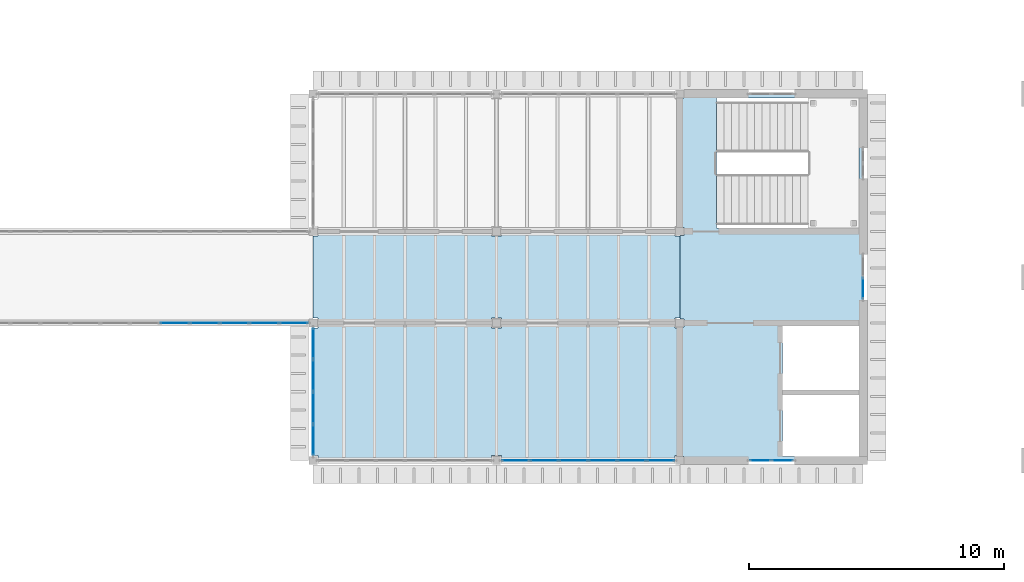
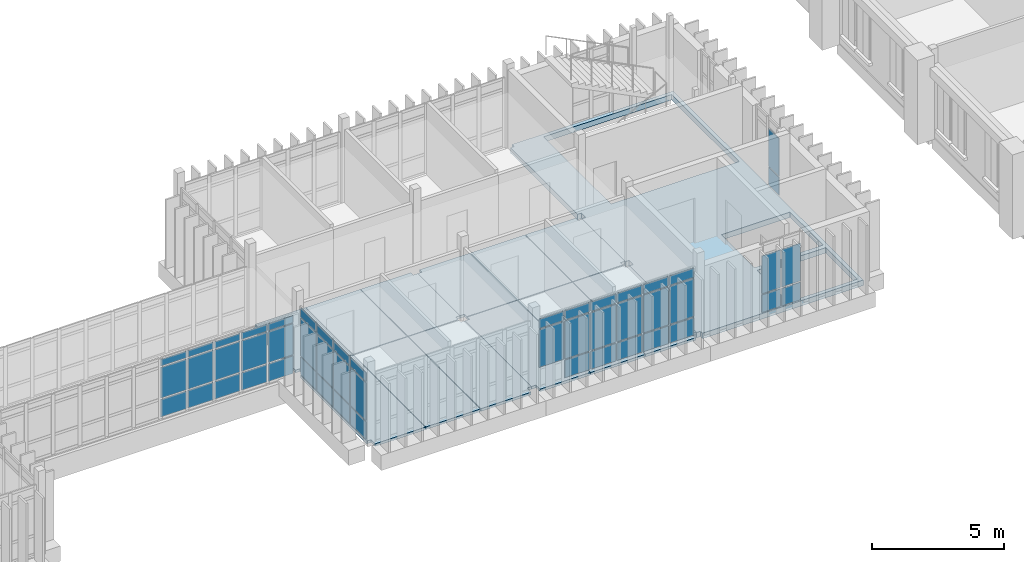
# One storey, part 34 of 71: 50 plates, 13 slabs, 5 elements without a shape of their own.
"""IFC4 building model written with IfcOpenShell, lengths in metres."""

from ifc_helpers import new_model, si_unit, direction, frame, origin, origin_2d, place, context, subcontext, project, spatial, polyline, rectangle, outline, extrude, material, layer, layer_set, type_object, element, aggregate, save


model = new_model("IFC4")

# Units and contexts
model_context = context("Model", 3, precision=1e-05, world=origin(), true_north=direction((0.0, 1.0)))
body_context = subcontext(model_context, "Body", "Model", "MODEL_VIEW")
ifc_project = project(units=[si_unit("LENGTHUNIT", "METRE"), si_unit("AREAUNIT", "SQUARE_METRE"), si_unit("VOLUMEUNIT", "CUBIC_METRE"), si_unit("PLANEANGLEUNIT", "RADIAN"), si_unit("MASSUNIT", "GRAM", prefix="KILO")], contexts=[model_context])

# Site, building, storey
site_placement = place(None, origin())
site = spatial("IfcSite", under=ifc_project, at=site_placement, CompositionType="ELEMENT")
building_placement = place(site_placement, origin())
building = spatial("IfcBuilding", under=site, at=building_placement, Name="Mazhai Court Health Centre", CompositionType="ELEMENT")
storey_placement = place(building_placement, frame((0.0, 0.0, 10.199951171875)))
storey = spatial("IfcBuildingStorey", under=building, at=storey_placement, Name="L02", CompositionType="ELEMENT", Elevation=10.199951171875)

# Slabs
ifc_material_1 = material(Name="CLT C24 5-ply", Category="wood")
ifc_layer_1 = layer(ifc_material_1, 0.1201171875)
ifc_layer_set_1 = layer_set([ifc_layer_1], Name="CLT C24 5-ply 120 floor panel")
slab_type_1 = type_object("IfcSlabType", Name="CLT C24 5-ply 120 floor panel", PredefinedType="FLOOR", material=ifc_layer_set_1)
slab_1_placement = place(storey_placement, frame((0.0, 0.0, -0.119873046875)))
element("IfcSlab", 1, at=slab_1_placement, inside=storey, type_object=slab_type_1, Name="slab-V4-L02-b5-A0", PredefinedType="FLOOR", context=body_context, shape_type="SweptSolid", body=[
    extrude(outline(polyline([(109.389892578125, 18.7900390625), (107.18994140625, 18.7900390625), (107.18994140625, 18.610107421875), (107.0, 18.610107421875), (107.0, 13.590087890625), (107.18994140625, 13.590087890625), (107.18994140625, 13.280029296875), (109.389892578125, 13.280029296875), (109.389892578125, 18.7900390625)])), origin(), (0.0, 0.0, 1.0), 0.119873046875),
])
slab_2_placement = place(storey_placement, frame((0.0, 0.0, -0.119873046875)))
element("IfcSlab", 2, at=slab_2_placement, inside=storey, type_object=slab_type_1, Name="slab-V4-L02-b5-A1", PredefinedType="FLOOR", context=body_context, shape_type="SweptSolid", body=[
    extrude(outline(polyline([(109.409912109375, 13.280029296875), (111.7900390625, 13.280029296875), (111.7900390625, 18.7900390625), (109.409912109375, 18.7900390625), (109.409912109375, 13.280029296875)])), origin(), (0.0, 0.0, 1.0), 0.119873046875),
])
slab_3_placement = place(storey_placement, frame((0.0, 0.0, -0.119873046875)))
element("IfcSlab", 3, at=slab_3_placement, inside=storey, type_object=slab_type_1, Name="slab-V4-L02-b5-A2", PredefinedType="FLOOR", context=body_context, shape_type="SweptSolid", body=[
    extrude(outline(polyline([(114.199951171875, 13.590087890625), (114.199951171875, 18.610107421875), (114.010009765625, 18.610107421875), (114.010009765625, 18.7900390625), (111.81005859375, 18.7900390625), (111.81005859375, 13.280029296875), (114.010009765625, 13.280029296875), (114.010009765625, 13.590087890625), (114.199951171875, 13.590087890625)])), origin(), (0.0, 0.0, 1.0), 0.119873046875),
])
slab_4_placement = place(storey_placement, frame((0.0, 0.0, -0.119873046875)))
element("IfcSlab", 4, at=slab_4_placement, inside=storey, type_object=slab_type_1, Name="slab-V4-L02-b5-C0", PredefinedType="FLOOR", context=body_context, shape_type="SweptSolid", body=[
    extrude(outline(polyline([(109.389892578125, 22.389892578125), (107.18994140625, 22.389892578125), (107.18994140625, 22.2099609375), (107.0, 22.2099609375), (107.0, 18.989990234375), (107.18994140625, 18.989990234375), (107.18994140625, 18.81005859375), (109.389892578125, 18.81005859375), (109.389892578125, 22.389892578125)])), origin(), (0.0, 0.0, 1.0), 0.119873046875),
])
slab_5_placement = place(storey_placement, frame((0.0, 0.0, -0.119873046875)))
element("IfcSlab", 5, at=slab_5_placement, inside=storey, type_object=slab_type_1, Name="slab-V4-L02-b5-C1", PredefinedType="FLOOR", context=body_context, shape_type="SweptSolid", body=[
    extrude(outline(polyline([(109.409912109375, 18.81005859375), (111.7900390625, 18.81005859375), (111.7900390625, 22.389892578125), (109.409912109375, 22.389892578125), (109.409912109375, 18.81005859375)])), origin(), (0.0, 0.0, 1.0), 0.119873046875),
])
slab_6_placement = place(storey_placement, frame((0.0, 0.0, -0.119873046875)))
element("IfcSlab", 6, at=slab_6_placement, inside=storey, type_object=slab_type_1, Name="slab-V4-L02-b5-C2", PredefinedType="FLOOR", context=body_context, shape_type="SweptSolid", body=[
    extrude(outline(polyline([(114.199951171875, 18.989990234375), (114.199951171875, 22.2099609375), (114.010009765625, 22.2099609375), (114.010009765625, 22.389892578125), (111.81005859375, 22.389892578125), (111.81005859375, 18.81005859375), (114.010009765625, 18.81005859375), (114.010009765625, 18.989990234375), (114.199951171875, 18.989990234375)])), origin(), (0.0, 0.0, 1.0), 0.119873046875),
])
slab_7_placement = place(storey_placement, frame((0.0, 0.0, -0.119873046875)))
element("IfcSlab", 7, at=slab_7_placement, inside=storey, type_object=slab_type_1, Name="slab-V4-L02-b6-A0", PredefinedType="FLOOR", context=body_context, shape_type="SweptSolid", body=[
    extrude(outline(polyline([(116.590087890625, 18.7900390625), (114.389892578125, 18.7900390625), (114.389892578125, 18.610107421875), (114.199951171875, 18.610107421875), (114.199951171875, 13.590087890625), (114.389892578125, 13.590087890625), (114.389892578125, 13.280029296875), (116.590087890625, 13.280029296875), (116.590087890625, 18.7900390625)])), origin(), (0.0, 0.0, 1.0), 0.119873046875),
])
slab_8_placement = place(storey_placement, frame((0.0, 0.0, -0.119873046875)))
element("IfcSlab", 8, at=slab_8_placement, inside=storey, type_object=slab_type_1, Name="slab-V4-L02-b6-A1", PredefinedType="FLOOR", context=body_context, shape_type="SweptSolid", body=[
    extrude(outline(polyline([(116.610107421875, 13.280029296875), (118.989990234375, 13.280029296875), (118.989990234375, 18.7900390625), (116.610107421875, 18.7900390625), (116.610107421875, 13.280029296875)])), origin(), (0.0, 0.0, 1.0), 0.119873046875),
])
slab_9_placement = place(storey_placement, frame((0.0, 0.0, -0.119873046875)))
element("IfcSlab", 9, at=slab_9_placement, inside=storey, type_object=slab_type_1, Name="slab-V4-L02-b6-A2", PredefinedType="FLOOR", context=body_context, shape_type="SweptSolid", body=[
    extrude(outline(polyline([(121.39990234375, 13.590087890625), (121.39990234375, 18.610107421875), (121.2099609375, 18.610107421875), (121.2099609375, 18.7900390625), (119.010009765625, 18.7900390625), (119.010009765625, 13.280029296875), (121.2099609375, 13.280029296875), (121.2099609375, 13.590087890625), (121.39990234375, 13.590087890625)])), origin(), (0.0, 0.0, 1.0), 0.119873046875),
])
slab_10_placement = place(storey_placement, frame((0.0, 0.0, -0.119873046875)))
element("IfcSlab", 10, at=slab_10_placement, inside=storey, type_object=slab_type_1, Name="slab-V4-L02-b6-C0", PredefinedType="FLOOR", context=body_context, shape_type="SweptSolid", body=[
    extrude(outline(polyline([(116.590087890625, 22.389892578125), (114.389892578125, 22.389892578125), (114.389892578125, 22.2099609375), (114.199951171875, 22.2099609375), (114.199951171875, 18.989990234375), (114.389892578125, 18.989990234375), (114.389892578125, 18.81005859375), (116.590087890625, 18.81005859375), (116.590087890625, 22.389892578125)])), origin(), (0.0, 0.0, 1.0), 0.119873046875),
])
slab_11_placement = place(storey_placement, frame((0.0, 0.0, -0.119873046875)))
element("IfcSlab", 11, at=slab_11_placement, inside=storey, type_object=slab_type_1, Name="slab-V4-L02-b6-C1", PredefinedType="FLOOR", context=body_context, shape_type="SweptSolid", body=[
    extrude(outline(polyline([(116.610107421875, 18.81005859375), (118.989990234375, 18.81005859375), (118.989990234375, 22.389892578125), (116.610107421875, 22.389892578125), (116.610107421875, 18.81005859375)])), origin(), (0.0, 0.0, 1.0), 0.119873046875),
])
slab_12_placement = place(storey_placement, frame((0.0, 0.0, -0.119873046875)))
element("IfcSlab", 12, at=slab_12_placement, inside=storey, type_object=slab_type_1, Name="slab-V4-L02-b6-C2", PredefinedType="FLOOR", context=body_context, shape_type="SweptSolid", body=[
    extrude(outline(polyline([(121.39990234375, 18.989990234375), (121.39990234375, 22.2099609375), (121.2099609375, 22.2099609375), (121.2099609375, 22.389892578125), (119.010009765625, 22.389892578125), (119.010009765625, 18.81005859375), (121.2099609375, 18.81005859375), (121.2099609375, 18.989990234375), (121.39990234375, 18.989990234375)])), origin(), (0.0, 0.0, 1.0), 0.119873046875),
])

# Curtain wall, plates
ifc_material_2 = material(Name="Teak timber frame, glazed", Category="wood")
ifc_layer_2 = layer(ifc_material_2, 0.10009765625)
ifc_layer_set_2 = layer_set([ifc_layer_2], Name="CURTAIN WALL TIMBER 900")
curtain_wall_type_1 = type_object("IfcCurtainWallType", Name="CURTAIN WALL TIMBER 900", PredefinedType="NOTDEFINED", material=ifc_layer_set_2)
curtain_wall_1_placement = place(storey_placement, origin())
curtain_wall_1 = element("IfcCurtainWall", 13, at=curtain_wall_1_placement, inside=storey, type_object=curtain_wall_type_1, Name="CW-V4-L02-A7", PredefinedType="NOTDEFINED")
ifc_material_3 = material(Name="Glass IGU 28 mm", Category="glass")
ifc_layer_3 = layer(ifc_material_3, 0.028076171875)
ifc_layer_set_3 = layer_set([ifc_layer_3], Name="CW PANEL IGU 28")
plate_type = type_object("IfcPlateType", Name="CW PANEL IGU 28", PredefinedType="CURTAIN_PANEL", material=ifc_layer_set_3)
plate_1_placement = place(storey_placement, frame((125.43505859375, 13.39990234375, 0.06005859375), z_axis=(0.0, 0.0, 1.0), x_axis=(-1.0, 0.0, 0.0)))
plate_1 = element("IfcPlate", 14, at=plate_1_placement, type_object=plate_type, Name="CW panel 1.1", PredefinedType="CURTAIN_PANEL", context=body_context, shape_type="SweptSolid", body=[
    extrude(rectangle(XDim=0.81005859375, YDim=0.028076171875, at=origin_2d()), origin(), (0.0, 0.0, 1.0), 0.81005859375),
])
plate_2_placement = place(storey_placement, frame((125.43505859375, 13.39990234375, 0.93017578125), z_axis=(0.0, 0.0, 1.0), x_axis=(-1.0, 0.0, 0.0)))
plate_2 = element("IfcPlate", 15, at=plate_2_placement, type_object=plate_type, Name="CW panel 1.2", PredefinedType="CURTAIN_PANEL", context=body_context, shape_type="SweptSolid", body=[
    extrude(rectangle(XDim=0.81005859375, YDim=0.028076171875, at=origin_2d()), origin(), (0.0, 0.0, 1.0), 1.739990234375),
])
plate_3_placement = place(storey_placement, frame((124.56494140625, 13.39990234375, 0.06005859375), z_axis=(0.0, 0.0, 1.0), x_axis=(-1.0, 0.0, 0.0)))
plate_3 = element("IfcPlate", 16, at=plate_3_placement, type_object=plate_type, Name="CW panel 2.1", PredefinedType="CURTAIN_PANEL", context=body_context, shape_type="SweptSolid", body=[
    extrude(rectangle(XDim=0.81005859375, YDim=0.028076171875, at=origin_2d()), origin(), (0.0, 0.0, 1.0), 0.81005859375),
])
plate_4_placement = place(storey_placement, frame((124.56494140625, 13.39990234375, 0.93017578125), z_axis=(0.0, 0.0, 1.0), x_axis=(-1.0, 0.0, 0.0)))
plate_4 = element("IfcPlate", 17, at=plate_4_placement, type_object=plate_type, Name="CW panel 2.2", PredefinedType="CURTAIN_PANEL", context=body_context, shape_type="SweptSolid", body=[
    extrude(rectangle(XDim=0.81005859375, YDim=0.028076171875, at=origin_2d()), origin(), (0.0, 0.0, 1.0), 1.739990234375),
])
aggregate(curtain_wall_1, [plate_1, plate_2, plate_3, plate_4])

curtain_wall_2_placement = place(storey_placement, origin())
curtain_wall_2 = element("IfcCurtainWall", 18, at=curtain_wall_2_placement, inside=storey, type_object=curtain_wall_type_1, Name="CW-V4-L02-ELIFT0", PredefinedType="NOTDEFINED")
plate_5_placement = place(storey_placement, frame((128.60009765625, 20.1650390625, 0.06005859375), z_axis=(0.0, 0.0, 1.0), x_axis=(0.0, -1.0, 0.0)))
plate_5 = element("IfcPlate", 19, at=plate_5_placement, type_object=plate_type, Name="CW panel 2.1", PredefinedType="CURTAIN_PANEL", context=body_context, shape_type="SweptSolid", body=[
    extrude(rectangle(XDim=0.81005859375, YDim=0.028076171875, at=origin_2d()), origin(), (0.0, 0.0, 1.0), 0.81005859375),
])
plate_6_placement = place(storey_placement, frame((128.60009765625, 20.1650390625, 0.93017578125), z_axis=(0.0, 0.0, 1.0), x_axis=(0.0, -1.0, 0.0)))
plate_6 = element("IfcPlate", 20, at=plate_6_placement, type_object=plate_type, Name="CW panel 2.2", PredefinedType="CURTAIN_PANEL", context=body_context, shape_type="SweptSolid", body=[
    extrude(rectangle(XDim=0.81005859375, YDim=0.028076171875, at=origin_2d()), origin(), (0.0, 0.0, 1.0), 1.739990234375),
])
aggregate(curtain_wall_2, [plate_5, plate_6])

ifc_material_4 = material(Name="Teak timber frame, glazed", Category="wood")
ifc_layer_4 = layer(ifc_material_4, 0.10009765625)
ifc_layer_set_4 = layer_set([ifc_layer_4], Name="CURTAIN WALL TIMBER 1200")
curtain_wall_type_2 = type_object("IfcCurtainWallType", Name="CURTAIN WALL TIMBER 1200", PredefinedType="NOTDEFINED", material=ifc_layer_set_4)
curtain_wall_3_placement = place(storey_placement, origin())
curtain_wall_3 = element("IfcCurtainWall", 21, at=curtain_wall_3_placement, inside=storey, type_object=curtain_wall_type_2, Name="CW-V4-L02-A6", PredefinedType="NOTDEFINED")
plate_7_placement = place(storey_placement, frame((120.651611328125, 13.39990234375, 0.06005859375), z_axis=(0.0, 0.0, 1.0), x_axis=(-1.0, 0.0, 0.0)))
plate_7 = element("IfcPlate", 22, at=plate_7_placement, type_object=plate_type, Name="CW panel 1.1", PredefinedType="CURTAIN_PANEL", context=body_context, shape_type="SweptSolid", body=[
    extrude(rectangle(XDim=1.056640625, YDim=0.028076171875, at=origin_2d()), origin(), (0.0, 0.0, 1.0), 0.81005859375),
])
plate_8_placement = place(storey_placement, frame((120.651611328125, 13.39990234375, 0.93017578125), z_axis=(0.0, 0.0, 1.0), x_axis=(-1.0, 0.0, 0.0)))
plate_8 = element("IfcPlate", 23, at=plate_8_placement, type_object=plate_type, Name="CW panel 1.2", PredefinedType="CURTAIN_PANEL", context=body_context, shape_type="SweptSolid", body=[
    extrude(rectangle(XDim=1.056640625, YDim=0.028076171875, at=origin_2d()), origin(), (0.0, 0.0, 1.0), 1.739990234375),
])
plate_9_placement = place(storey_placement, frame((120.651611328125, 13.39990234375, 2.72998046875), z_axis=(0.0, 0.0, 1.0), x_axis=(-1.0, 0.0, 0.0)))
plate_9 = element("IfcPlate", 24, at=plate_9_placement, type_object=plate_type, Name="CW panel 1.3", PredefinedType="CURTAIN_PANEL", context=body_context, shape_type="SweptSolid", body=[
    extrude(rectangle(XDim=1.056640625, YDim=0.028076171875, at=origin_2d()), origin(), (0.0, 0.0, 1.0), 0.429931640625),
])
plate_10_placement = place(storey_placement, frame((119.52001953125, 13.39990234375, 0.06005859375), z_axis=(0.0, 0.0, 1.0), x_axis=(-1.0, 0.0, 0.0)))
plate_10 = element("IfcPlate", 25, at=plate_10_placement, type_object=plate_type, Name="CW panel 2.1", PredefinedType="CURTAIN_PANEL", context=body_context, shape_type="SweptSolid", body=[
    extrude(rectangle(XDim=1.086669921875, YDim=0.028076171875, at=origin_2d()), origin(), (0.0, 0.0, 1.0), 0.81005859375),
])
plate_11_placement = place(storey_placement, frame((119.52001953125, 13.39990234375, 0.93017578125), z_axis=(0.0, 0.0, 1.0), x_axis=(-1.0, 0.0, 0.0)))
plate_11 = element("IfcPlate", 26, at=plate_11_placement, type_object=plate_type, Name="CW panel 2.2", PredefinedType="CURTAIN_PANEL", context=body_context, shape_type="SweptSolid", body=[
    extrude(rectangle(XDim=1.086669921875, YDim=0.028076171875, at=origin_2d()), origin(), (0.0, 0.0, 1.0), 1.739990234375),
])
plate_12_placement = place(storey_placement, frame((119.52001953125, 13.39990234375, 2.72998046875), z_axis=(0.0, 0.0, 1.0), x_axis=(-1.0, 0.0, 0.0)))
plate_12 = element("IfcPlate", 27, at=plate_12_placement, type_object=plate_type, Name="CW panel 2.3", PredefinedType="CURTAIN_PANEL", context=body_context, shape_type="SweptSolid", body=[
    extrude(rectangle(XDim=1.086669921875, YDim=0.028076171875, at=origin_2d()), origin(), (0.0, 0.0, 1.0), 0.429931640625),
])
plate_13_placement = place(storey_placement, frame((118.373291015625, 13.39990234375, 0.06005859375), z_axis=(0.0, 0.0, 1.0), x_axis=(-1.0, 0.0, 0.0)))
plate_13 = element("IfcPlate", 28, at=plate_13_placement, type_object=plate_type, Name="CW panel 3.1", PredefinedType="CURTAIN_PANEL", context=body_context, shape_type="SweptSolid", body=[
    extrude(rectangle(XDim=1.086669921875, YDim=0.028076171875, at=origin_2d()), origin(), (0.0, 0.0, 1.0), 0.81005859375),
])
plate_14_placement = place(storey_placement, frame((118.373291015625, 13.39990234375, 0.93017578125), z_axis=(0.0, 0.0, 1.0), x_axis=(-1.0, 0.0, 0.0)))
plate_14 = element("IfcPlate", 29, at=plate_14_placement, type_object=plate_type, Name="CW panel 3.2", PredefinedType="CURTAIN_PANEL", context=body_context, shape_type="SweptSolid", body=[
    extrude(rectangle(XDim=1.086669921875, YDim=0.028076171875, at=origin_2d()), origin(), (0.0, 0.0, 1.0), 1.739990234375),
])
plate_15_placement = place(storey_placement, frame((118.373291015625, 13.39990234375, 2.72998046875), z_axis=(0.0, 0.0, 1.0), x_axis=(-1.0, 0.0, 0.0)))
plate_15 = element("IfcPlate", 30, at=plate_15_placement, type_object=plate_type, Name="CW panel 3.3", PredefinedType="CURTAIN_PANEL", context=body_context, shape_type="SweptSolid", body=[
    extrude(rectangle(XDim=1.086669921875, YDim=0.028076171875, at=origin_2d()), origin(), (0.0, 0.0, 1.0), 0.429931640625),
])
plate_16_placement = place(storey_placement, frame((117.2265625, 13.39990234375, 0.06005859375), z_axis=(0.0, 0.0, 1.0), x_axis=(-1.0, 0.0, 0.0)))
plate_16 = element("IfcPlate", 31, at=plate_16_placement, type_object=plate_type, Name="CW panel 4.1", PredefinedType="CURTAIN_PANEL", context=body_context, shape_type="SweptSolid", body=[
    extrude(rectangle(XDim=1.086669921875, YDim=0.028076171875, at=origin_2d()), origin(), (0.0, 0.0, 1.0), 0.81005859375),
])
plate_17_placement = place(storey_placement, frame((117.2265625, 13.39990234375, 0.93017578125), z_axis=(0.0, 0.0, 1.0), x_axis=(-1.0, 0.0, 0.0)))
plate_17 = element("IfcPlate", 32, at=plate_17_placement, type_object=plate_type, Name="CW panel 4.2", PredefinedType="CURTAIN_PANEL", context=body_context, shape_type="SweptSolid", body=[
    extrude(rectangle(XDim=1.086669921875, YDim=0.028076171875, at=origin_2d()), origin(), (0.0, 0.0, 1.0), 1.739990234375),
])
plate_18_placement = place(storey_placement, frame((117.2265625, 13.39990234375, 2.72998046875), z_axis=(0.0, 0.0, 1.0), x_axis=(-1.0, 0.0, 0.0)))
plate_18 = element("IfcPlate", 33, at=plate_18_placement, type_object=plate_type, Name="CW panel 4.3", PredefinedType="CURTAIN_PANEL", context=body_context, shape_type="SweptSolid", body=[
    extrude(rectangle(XDim=1.086669921875, YDim=0.028076171875, at=origin_2d()), origin(), (0.0, 0.0, 1.0), 0.429931640625),
])
plate_19_placement = place(storey_placement, frame((116.080078125, 13.39990234375, 0.06005859375), z_axis=(0.0, 0.0, 1.0), x_axis=(-1.0, 0.0, 0.0)))
plate_19 = element("IfcPlate", 34, at=plate_19_placement, type_object=plate_type, Name="CW panel 5.1", PredefinedType="CURTAIN_PANEL", context=body_context, shape_type="SweptSolid", body=[
    extrude(rectangle(XDim=1.086669921875, YDim=0.028076171875, at=origin_2d()), origin(), (0.0, 0.0, 1.0), 0.81005859375),
])
plate_20_placement = place(storey_placement, frame((116.080078125, 13.39990234375, 0.93017578125), z_axis=(0.0, 0.0, 1.0), x_axis=(-1.0, 0.0, 0.0)))
plate_20 = element("IfcPlate", 35, at=plate_20_placement, type_object=plate_type, Name="CW panel 5.2", PredefinedType="CURTAIN_PANEL", context=body_context, shape_type="SweptSolid", body=[
    extrude(rectangle(XDim=1.086669921875, YDim=0.028076171875, at=origin_2d()), origin(), (0.0, 0.0, 1.0), 1.739990234375),
])
plate_21_placement = place(storey_placement, frame((116.080078125, 13.39990234375, 2.72998046875), z_axis=(0.0, 0.0, 1.0), x_axis=(-1.0, 0.0, 0.0)))
plate_21 = element("IfcPlate", 36, at=plate_21_placement, type_object=plate_type, Name="CW panel 5.3", PredefinedType="CURTAIN_PANEL", context=body_context, shape_type="SweptSolid", body=[
    extrude(rectangle(XDim=1.086669921875, YDim=0.028076171875, at=origin_2d()), origin(), (0.0, 0.0, 1.0), 0.429931640625),
])
plate_22_placement = place(storey_placement, frame((114.9482421875, 13.39990234375, 0.93017578125), z_axis=(0.0, 0.0, 1.0), x_axis=(-1.0, 0.0, 0.0)))
plate_22 = element("IfcPlate", 37, at=plate_22_placement, type_object=plate_type, Name="CW panel 6.2", PredefinedType="CURTAIN_PANEL", context=body_context, shape_type="SweptSolid", body=[
    extrude(rectangle(XDim=1.056640625, YDim=0.028076171875, at=origin_2d()), origin(), (0.0, 0.0, 1.0), 1.739990234375),
])
plate_23_placement = place(storey_placement, frame((114.9482421875, 13.39990234375, 2.72998046875), z_axis=(0.0, 0.0, 1.0), x_axis=(-1.0, 0.0, 0.0)))
plate_23 = element("IfcPlate", 38, at=plate_23_placement, type_object=plate_type, Name="CW panel 6.3", PredefinedType="CURTAIN_PANEL", context=body_context, shape_type="SweptSolid", body=[
    extrude(rectangle(XDim=1.056640625, YDim=0.028076171875, at=origin_2d()), origin(), (0.0, 0.0, 1.0), 0.429931640625),
])
aggregate(curtain_wall_3, [plate_7, plate_8, plate_9, plate_10, plate_11, plate_12, plate_13, plate_14, plate_15, plate_16, plate_17, plate_18, plate_19, plate_20, plate_21, plate_22, plate_23])

curtain_wall_4_placement = place(storey_placement, origin())
curtain_wall_4 = element("IfcCurtainWall", 39, at=curtain_wall_4_placement, inside=storey, type_object=curtain_wall_type_2, Name="CW-V4-L02-CW5-0", PredefinedType="NOTDEFINED")
plate_24_placement = place(storey_placement, frame((107.0, 14.2099609375, 0.06005859375), z_axis=(0.0, 0.0, 1.0), x_axis=(0.0, 1.0, 0.0)))
plate_24 = element("IfcPlate", 40, at=plate_24_placement, type_object=plate_type, Name="CW panel 1.1", PredefinedType="CURTAIN_PANEL", context=body_context, shape_type="SweptSolid", body=[
    extrude(rectangle(XDim=1.179931640625, YDim=0.028076171875, at=origin_2d()), origin(), (0.0, 0.0, 1.0), 0.81005859375),
])
plate_25_placement = place(storey_placement, frame((107.0, 14.2099609375, 0.93017578125), z_axis=(0.0, 0.0, 1.0), x_axis=(0.0, 1.0, 0.0)))
plate_25 = element("IfcPlate", 41, at=plate_25_placement, type_object=plate_type, Name="CW panel 1.2", PredefinedType="CURTAIN_PANEL", context=body_context, shape_type="SweptSolid", body=[
    extrude(rectangle(XDim=1.179931640625, YDim=0.028076171875, at=origin_2d()), origin(), (0.0, 0.0, 1.0), 1.739990234375),
])
plate_26_placement = place(storey_placement, frame((107.0, 14.2099609375, 2.72998046875), z_axis=(0.0, 0.0, 1.0), x_axis=(0.0, 1.0, 0.0)))
plate_26 = element("IfcPlate", 42, at=plate_26_placement, type_object=plate_type, Name="CW panel 1.3", PredefinedType="CURTAIN_PANEL", context=body_context, shape_type="SweptSolid", body=[
    extrude(rectangle(XDim=1.179931640625, YDim=0.028076171875, at=origin_2d()), origin(), (0.0, 0.0, 1.0), 0.409912109375),
])
plate_27_placement = place(storey_placement, frame((107.0, 15.465087890625, 0.06005859375), z_axis=(0.0, 0.0, 1.0), x_axis=(0.0, 1.0, 0.0)))
plate_27 = element("IfcPlate", 43, at=plate_27_placement, type_object=plate_type, Name="CW panel 2.1", PredefinedType="CURTAIN_PANEL", context=body_context, shape_type="SweptSolid", body=[
    extrude(rectangle(XDim=1.2099609375, YDim=0.028076171875, at=origin_2d()), origin(), (0.0, 0.0, 1.0), 0.81005859375),
])
plate_28_placement = place(storey_placement, frame((107.0, 15.465087890625, 0.93017578125), z_axis=(0.0, 0.0, 1.0), x_axis=(0.0, 1.0, 0.0)))
plate_28 = element("IfcPlate", 44, at=plate_28_placement, type_object=plate_type, Name="CW panel 2.2", PredefinedType="CURTAIN_PANEL", context=body_context, shape_type="SweptSolid", body=[
    extrude(rectangle(XDim=1.2099609375, YDim=0.028076171875, at=origin_2d()), origin(), (0.0, 0.0, 1.0), 1.739990234375),
])
plate_29_placement = place(storey_placement, frame((107.0, 15.465087890625, 2.72998046875), z_axis=(0.0, 0.0, 1.0), x_axis=(0.0, 1.0, 0.0)))
plate_29 = element("IfcPlate", 45, at=plate_29_placement, type_object=plate_type, Name="CW panel 2.3", PredefinedType="CURTAIN_PANEL", context=body_context, shape_type="SweptSolid", body=[
    extrude(rectangle(XDim=1.2099609375, YDim=0.028076171875, at=origin_2d()), origin(), (0.0, 0.0, 1.0), 0.409912109375),
])
plate_30_placement = place(storey_placement, frame((107.0, 16.735107421875, 0.06005859375), z_axis=(0.0, 0.0, 1.0), x_axis=(0.0, 1.0, 0.0)))
plate_30 = element("IfcPlate", 46, at=plate_30_placement, type_object=plate_type, Name="CW panel 3.1", PredefinedType="CURTAIN_PANEL", context=body_context, shape_type="SweptSolid", body=[
    extrude(rectangle(XDim=1.2099609375, YDim=0.028076171875, at=origin_2d()), origin(), (0.0, 0.0, 1.0), 0.81005859375),
])
plate_31_placement = place(storey_placement, frame((107.0, 16.735107421875, 0.93017578125), z_axis=(0.0, 0.0, 1.0), x_axis=(0.0, 1.0, 0.0)))
plate_31 = element("IfcPlate", 47, at=plate_31_placement, type_object=plate_type, Name="CW panel 3.2", PredefinedType="CURTAIN_PANEL", context=body_context, shape_type="SweptSolid", body=[
    extrude(rectangle(XDim=1.2099609375, YDim=0.028076171875, at=origin_2d()), origin(), (0.0, 0.0, 1.0), 1.739990234375),
])
plate_32_placement = place(storey_placement, frame((107.0, 16.735107421875, 2.72998046875), z_axis=(0.0, 0.0, 1.0), x_axis=(0.0, 1.0, 0.0)))
plate_32 = element("IfcPlate", 48, at=plate_32_placement, type_object=plate_type, Name="CW panel 3.3", PredefinedType="CURTAIN_PANEL", context=body_context, shape_type="SweptSolid", body=[
    extrude(rectangle(XDim=1.2099609375, YDim=0.028076171875, at=origin_2d()), origin(), (0.0, 0.0, 1.0), 0.409912109375),
])
plate_33_placement = place(storey_placement, frame((107.0, 17.989990234375, 0.06005859375), z_axis=(0.0, 0.0, 1.0), x_axis=(0.0, 1.0, 0.0)))
plate_33 = element("IfcPlate", 49, at=plate_33_placement, type_object=plate_type, Name="CW panel 4.1", PredefinedType="CURTAIN_PANEL", context=body_context, shape_type="SweptSolid", body=[
    extrude(rectangle(XDim=1.179931640625, YDim=0.028076171875, at=origin_2d()), origin(), (0.0, 0.0, 1.0), 0.81005859375),
])
plate_34_placement = place(storey_placement, frame((107.0, 17.989990234375, 0.93017578125), z_axis=(0.0, 0.0, 1.0), x_axis=(0.0, 1.0, 0.0)))
plate_34 = element("IfcPlate", 50, at=plate_34_placement, type_object=plate_type, Name="CW panel 4.2", PredefinedType="CURTAIN_PANEL", context=body_context, shape_type="SweptSolid", body=[
    extrude(rectangle(XDim=1.179931640625, YDim=0.028076171875, at=origin_2d()), origin(), (0.0, 0.0, 1.0), 1.739990234375),
])
plate_35_placement = place(storey_placement, frame((107.0, 17.989990234375, 2.72998046875), z_axis=(0.0, 0.0, 1.0), x_axis=(0.0, 1.0, 0.0)))
plate_35 = element("IfcPlate", 51, at=plate_35_placement, type_object=plate_type, Name="CW panel 4.3", PredefinedType="CURTAIN_PANEL", context=body_context, shape_type="SweptSolid", body=[
    extrude(rectangle(XDim=1.179931640625, YDim=0.028076171875, at=origin_2d()), origin(), (0.0, 0.0, 1.0), 0.409912109375),
])
aggregate(curtain_wall_4, [plate_24, plate_25, plate_26, plate_27, plate_28, plate_29, plate_30, plate_31, plate_32, plate_33, plate_34, plate_35])

curtain_wall_5_placement = place(storey_placement, origin())
curtain_wall_5 = element("IfcCurtainWall", 52, at=curtain_wall_5_placement, inside=storey, type_object=curtain_wall_type_2, Name="CW-BR-LC2-S", PredefinedType="NOTDEFINED")
plate_36_placement = place(storey_placement, frame((101.56005859375, 18.800048828125, 0.06005859375), z_axis=(0.0, 0.0, 1.0), x_axis=(1.0, 0.0, 0.0)))
plate_36 = element("IfcPlate", 53, at=plate_36_placement, type_object=plate_type, Name="CW panel 8.1", PredefinedType="CURTAIN_PANEL", context=body_context, shape_type="SweptSolid", body=[
    extrude(rectangle(XDim=1.11328125, YDim=0.028076171875, at=origin_2d()), origin(), (0.0, 0.0, 1.0), 0.81005859375),
])
plate_37_placement = place(storey_placement, frame((101.56005859375, 18.800048828125, 0.93017578125), z_axis=(0.0, 0.0, 1.0), x_axis=(1.0, 0.0, 0.0)))
plate_37 = element("IfcPlate", 54, at=plate_37_placement, type_object=plate_type, Name="CW panel 8.2", PredefinedType="CURTAIN_PANEL", context=body_context, shape_type="SweptSolid", body=[
    extrude(rectangle(XDim=1.11328125, YDim=0.028076171875, at=origin_2d()), origin(), (0.0, 0.0, 1.0), 1.419921875),
])
plate_38_placement = place(storey_placement, frame((101.56005859375, 18.800048828125, 2.409912109375), z_axis=(0.0, 0.0, 1.0), x_axis=(1.0, 0.0, 0.0)))
plate_38 = element("IfcPlate", 55, at=plate_38_placement, type_object=plate_type, Name="CW panel 8.3", PredefinedType="CURTAIN_PANEL", context=body_context, shape_type="SweptSolid", body=[
    extrude(rectangle(XDim=1.11328125, YDim=0.028076171875, at=origin_2d()), origin(), (0.0, 0.0, 1.0), 0.31005859375),
])
plate_39_placement = place(storey_placement, frame((102.7333984375, 18.800048828125, 0.06005859375), z_axis=(0.0, 0.0, 1.0), x_axis=(1.0, 0.0, 0.0)))
plate_39 = element("IfcPlate", 56, at=plate_39_placement, type_object=plate_type, Name="CW panel 9.1", PredefinedType="CURTAIN_PANEL", context=body_context, shape_type="SweptSolid", body=[
    extrude(rectangle(XDim=1.11328125, YDim=0.028076171875, at=origin_2d()), origin(), (0.0, 0.0, 1.0), 0.81005859375),
])
plate_40_placement = place(storey_placement, frame((102.7333984375, 18.800048828125, 0.93017578125), z_axis=(0.0, 0.0, 1.0), x_axis=(1.0, 0.0, 0.0)))
plate_40 = element("IfcPlate", 57, at=plate_40_placement, type_object=plate_type, Name="CW panel 9.2", PredefinedType="CURTAIN_PANEL", context=body_context, shape_type="SweptSolid", body=[
    extrude(rectangle(XDim=1.11328125, YDim=0.028076171875, at=origin_2d()), origin(), (0.0, 0.0, 1.0), 1.419921875),
])
plate_41_placement = place(storey_placement, frame((102.7333984375, 18.800048828125, 2.409912109375), z_axis=(0.0, 0.0, 1.0), x_axis=(1.0, 0.0, 0.0)))
plate_41 = element("IfcPlate", 58, at=plate_41_placement, type_object=plate_type, Name="CW panel 9.3", PredefinedType="CURTAIN_PANEL", context=body_context, shape_type="SweptSolid", body=[
    extrude(rectangle(XDim=1.11328125, YDim=0.028076171875, at=origin_2d()), origin(), (0.0, 0.0, 1.0), 0.31005859375),
])
plate_42_placement = place(storey_placement, frame((103.90673828125, 18.800048828125, 0.06005859375), z_axis=(0.0, 0.0, 1.0), x_axis=(1.0, 0.0, 0.0)))
plate_42 = element("IfcPlate", 59, at=plate_42_placement, type_object=plate_type, Name="CW panel 10.1", PredefinedType="CURTAIN_PANEL", context=body_context, shape_type="SweptSolid", body=[
    extrude(rectangle(XDim=1.11328125, YDim=0.028076171875, at=origin_2d()), origin(), (0.0, 0.0, 1.0), 0.81005859375),
])
plate_43_placement = place(storey_placement, frame((103.90673828125, 18.800048828125, 0.93017578125), z_axis=(0.0, 0.0, 1.0), x_axis=(1.0, 0.0, 0.0)))
plate_43 = element("IfcPlate", 60, at=plate_43_placement, type_object=plate_type, Name="CW panel 10.2", PredefinedType="CURTAIN_PANEL", context=body_context, shape_type="SweptSolid", body=[
    extrude(rectangle(XDim=1.11328125, YDim=0.028076171875, at=origin_2d()), origin(), (0.0, 0.0, 1.0), 1.419921875),
])
plate_44_placement = place(storey_placement, frame((103.90673828125, 18.800048828125, 2.409912109375), z_axis=(0.0, 0.0, 1.0), x_axis=(1.0, 0.0, 0.0)))
plate_44 = element("IfcPlate", 61, at=plate_44_placement, type_object=plate_type, Name="CW panel 10.3", PredefinedType="CURTAIN_PANEL", context=body_context, shape_type="SweptSolid", body=[
    extrude(rectangle(XDim=1.11328125, YDim=0.028076171875, at=origin_2d()), origin(), (0.0, 0.0, 1.0), 0.31005859375),
])
plate_45_placement = place(storey_placement, frame((105.080078125, 18.800048828125, 0.06005859375), z_axis=(0.0, 0.0, 1.0), x_axis=(1.0, 0.0, 0.0)))
plate_45 = element("IfcPlate", 62, at=plate_45_placement, type_object=plate_type, Name="CW panel 11.1", PredefinedType="CURTAIN_PANEL", context=body_context, shape_type="SweptSolid", body=[
    extrude(rectangle(XDim=1.11328125, YDim=0.028076171875, at=origin_2d()), origin(), (0.0, 0.0, 1.0), 0.81005859375),
])
plate_46_placement = place(storey_placement, frame((105.080078125, 18.800048828125, 0.93017578125), z_axis=(0.0, 0.0, 1.0), x_axis=(1.0, 0.0, 0.0)))
plate_46 = element("IfcPlate", 63, at=plate_46_placement, type_object=plate_type, Name="CW panel 11.2", PredefinedType="CURTAIN_PANEL", context=body_context, shape_type="SweptSolid", body=[
    extrude(rectangle(XDim=1.11328125, YDim=0.028076171875, at=origin_2d()), origin(), (0.0, 0.0, 1.0), 1.419921875),
])
plate_47_placement = place(storey_placement, frame((105.080078125, 18.800048828125, 2.409912109375), z_axis=(0.0, 0.0, 1.0), x_axis=(1.0, 0.0, 0.0)))
plate_47 = element("IfcPlate", 64, at=plate_47_placement, type_object=plate_type, Name="CW panel 11.3", PredefinedType="CURTAIN_PANEL", context=body_context, shape_type="SweptSolid", body=[
    extrude(rectangle(XDim=1.11328125, YDim=0.028076171875, at=origin_2d()), origin(), (0.0, 0.0, 1.0), 0.31005859375),
])
plate_48_placement = place(storey_placement, frame((106.23828125, 18.800048828125, 0.06005859375), z_axis=(0.0, 0.0, 1.0), x_axis=(1.0, 0.0, 0.0)))
plate_48 = element("IfcPlate", 65, at=plate_48_placement, type_object=plate_type, Name="CW panel 12.1", PredefinedType="CURTAIN_PANEL", context=body_context, shape_type="SweptSolid", body=[
    extrude(rectangle(XDim=1.083251953125, YDim=0.028076171875, at=origin_2d()), origin(), (0.0, 0.0, 1.0), 0.81005859375),
])
plate_49_placement = place(storey_placement, frame((106.23828125, 18.800048828125, 0.93017578125), z_axis=(0.0, 0.0, 1.0), x_axis=(1.0, 0.0, 0.0)))
plate_49 = element("IfcPlate", 66, at=plate_49_placement, type_object=plate_type, Name="CW panel 12.2", PredefinedType="CURTAIN_PANEL", context=body_context, shape_type="SweptSolid", body=[
    extrude(rectangle(XDim=1.083251953125, YDim=0.028076171875, at=origin_2d()), origin(), (0.0, 0.0, 1.0), 1.419921875),
])
plate_50_placement = place(storey_placement, frame((106.23828125, 18.800048828125, 2.409912109375), z_axis=(0.0, 0.0, 1.0), x_axis=(1.0, 0.0, 0.0)))
plate_50 = element("IfcPlate", 67, at=plate_50_placement, type_object=plate_type, Name="CW panel 12.3", PredefinedType="CURTAIN_PANEL", context=body_context, shape_type="SweptSolid", body=[
    extrude(rectangle(XDim=1.083251953125, YDim=0.028076171875, at=origin_2d()), origin(), (0.0, 0.0, 1.0), 0.31005859375),
])
aggregate(curtain_wall_5, [plate_36, plate_37, plate_38, plate_39, plate_40, plate_41, plate_42, plate_43, plate_44, plate_45, plate_46, plate_47, plate_48, plate_49, plate_50])

# Slab
ifc_material_5 = material(Name="Concrete M40", Category="concrete")
ifc_layer_5 = layer(ifc_material_5, 0.25)
ifc_layer_set_5 = layer_set([ifc_layer_5], Name="RC CORE FLOOR 250 M40")
slab_type_2 = type_object("IfcSlabType", Name="RC CORE FLOOR 250 M40", PredefinedType="FLOOR", material=ifc_layer_set_5)
slab_13_placement = place(storey_placement, frame((0.0, 0.0, -0.25)))
element("IfcSlab", 68, at=slab_13_placement, inside=storey, type_object=slab_type_2, Name="core-C7-floor-L02", PredefinedType="FLOOR", context=body_context, shape_type="SweptSolid", body=[
    extrude(outline(polyline([(121.56005859375, 13.39990234375), (121.56005859375, 13.56005859375), (121.39990234375, 13.56005859375), (121.39990234375, 18.639892578125), (121.56005859375, 18.639892578125), (121.56005859375, 18.9599609375), (121.39990234375, 18.9599609375), (121.39990234375, 22.239990234375), (121.56005859375, 22.239990234375), (121.56005859375, 22.56005859375), (121.39990234375, 22.56005859375), (121.39990234375, 27.639892578125), (121.56005859375, 27.639892578125), (121.56005859375, 27.800048828125), (128.60009765625, 27.800048828125), (128.60009765625, 13.39990234375), (121.56005859375, 13.39990234375)]), holes=[polyline([(125.43505859375, 15.965087890625), (125.43505859375, 13.56494140625), (128.43505859375, 13.56494140625), (128.43505859375, 15.965087890625), (125.43505859375, 15.965087890625)]), polyline([(128.43505859375, 18.675048828125), (125.43505859375, 18.675048828125), (125.43505859375, 16.1650390625), (128.43505859375, 16.1650390625), (128.43505859375, 18.675048828125)]), polyline([(128.43505859375, 27.635009765625), (122.83642578125, 27.635009765625), (122.83642578125, 22.52490234375), (128.43505859375, 22.52490234375), (128.43505859375, 27.635009765625)])]), origin(), (0.0, 0.0, 1.0), 0.25),
])

save(model, "model.ifc")
